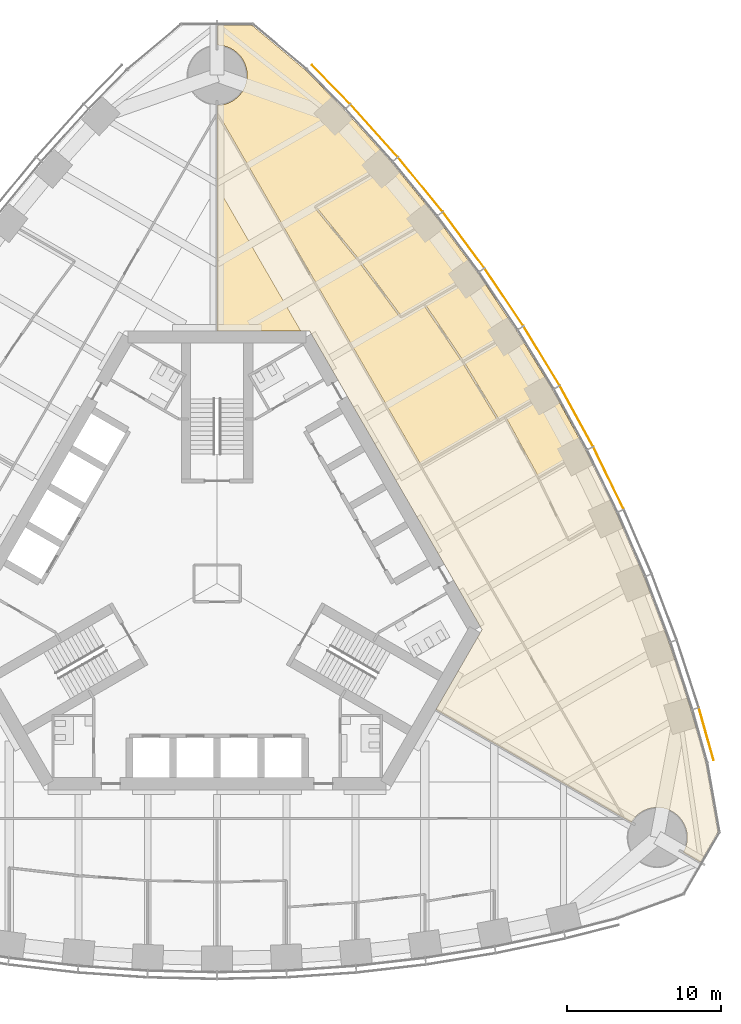
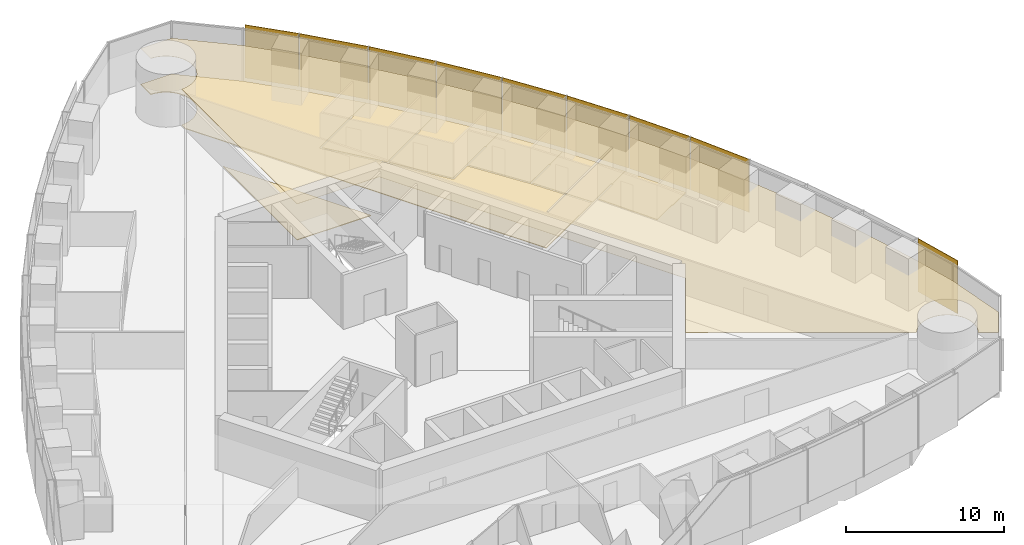
# One storey, part 17 of 19: 9 shading devices, 8 coverings.
"""IFC4 building model written with IfcOpenShell, lengths in metres."""

from ifc_helpers import new_model, si_unit, direction, frame, origin, origin_2d, place, context, subcontext, project, spatial, polyline, rectangle, outline, extrude, material, layer, layer_set, type_object, element, save


model = new_model("IFC4")

# Units and contexts
model_context = context("Model", 3, precision=1e-05, world=origin(), true_north=direction((0.0, 1.0)))
body_context = subcontext(model_context, "Body", "Model", "MODEL_VIEW")
ifc_project = project(units=[si_unit("LENGTHUNIT", "METRE"), si_unit("AREAUNIT", "SQUARE_METRE"), si_unit("VOLUMEUNIT", "CUBIC_METRE"), si_unit("PLANEANGLEUNIT", "RADIAN"), si_unit("MASSUNIT", "GRAM", prefix="KILO")], contexts=[model_context])

# Site, building, storey
site_placement = place(None, origin())
site = spatial("IfcSite", under=ifc_project, at=site_placement, CompositionType="ELEMENT")
building_placement = place(site_placement, origin())
building = spatial("IfcBuilding", under=site, at=building_placement, Name="Trefoil Bronze Tower", CompositionType="ELEMENT")
storey_placement = place(building_placement, frame((0.0, 0.0, 193.89990234375)))
storey = spatial("IfcBuildingStorey", under=building, at=storey_placement, Name="L44", CompositionType="ELEMENT", Elevation=193.89990234375)

# Shading devices
ifc_material_1 = material(Name="Perforated bronze sheet", Category="bronze")
ifc_layer_1 = layer(ifc_material_1, 0.0400390625)
ifc_layer_set_1 = layer_set([ifc_layer_1], Name="Bronze solar screen panel")
shading_device_type = type_object("IfcShadingDeviceType", Name="Bronze solar screen panel", PredefinedType="SHUTTER", material=ifc_layer_set_1)
shading_device_1_placement = place(storey_placement, frame((31.764892578125, -9.7890625, 0.050048828125), z_axis=(0.0, 0.0, 1.0), x_axis=(-0.270282222968, 0.962781138134, 0.0)))
element("IfcShadingDevice", 1, at=shading_device_1_placement, inside=storey, type_object=shading_device_type, Name="Solar screen CW-A L44 F2 bay 1", PredefinedType="SHUTTER", context=body_context, shape_type="SweptSolid", body=[
    extrude(rectangle(XDim=3.53369140625, YDim=0.0400390625, at=origin_2d()), origin(), (0.0, 0.0, 1.0), 4.10009765625),
])
shading_device_2_placement = place(storey_placement, frame((25.4169921875, 6.83740234375, 0.050048828125), z_axis=(0.0, 0.0, 1.0), x_axis=(-0.439129033334, 0.898424004623, 0.0)))
element("IfcShadingDevice", 2, at=shading_device_2_placement, inside=storey, type_object=shading_device_type, Name="Solar screen CW-A L44 F2 bay 5", PredefinedType="SHUTTER", context=body_context, shape_type="SweptSolid", body=[
    extrude(rectangle(XDim=4.480712890625, YDim=0.0400390625, at=origin_2d()), origin(), (0.0, 0.0, 1.0), 4.10009765625),
])
for number, where, z_axis, x_axis, name in (
    (3, (23.3349609375, 10.860107421875, 0.050048828125), (0.0, 0.0, 1.0), (-0.479974003504, 0.877282711536, 0.0), "Solar screen CW-A L44 F2 bay 6"),
    (4, (21.07275390625, 14.77880859375, 0.050048828125), (0.0, 0.0, 1.0), (-0.519762112739, 0.854311035959, 0.0), "Solar screen CW-A L44 F2 bay 7"),
):
    element("IfcShadingDevice", number, at=place(storey_placement, frame(where, z_axis=z_axis, x_axis=x_axis)), inside=storey, type_object=shading_device_type, Name=name, PredefinedType="SHUTTER", context=body_context, shape_type="SweptSolid", body=[
        extrude(rectangle(XDim=4.47119140625, YDim=0.0400390625, at=origin_2d()), origin(), (0.0, 0.0, 1.0), 4.10009765625),
    ])
shading_device_3_placement = place(storey_placement, frame((18.6298828125, 18.59326171875, 0.050048828125), z_axis=(0.0, 0.0, 1.0), x_axis=(-0.558493494706, 0.829508900718, 0.0)))
element("IfcShadingDevice", 5, at=shading_device_3_placement, inside=storey, type_object=shading_device_type, Name="Solar screen CW-A L44 F2 bay 8", PredefinedType="SHUTTER", context=body_context, shape_type="SweptSolid", body=[
    extrude(rectangle(XDim=4.480712890625, YDim=0.0400390625, at=origin_2d()), origin(), (0.0, 0.0, 1.0), 4.10009765625),
])
shading_device_4_placement = place(storey_placement, frame((16.005615234375, 22.302734375, 0.050048828125), z_axis=(0.0, 0.0, 1.0), x_axis=(-0.596161525977, 0.802864518425, 0.0)))
element("IfcShadingDevice", 6, at=shading_device_4_placement, inside=storey, type_object=shading_device_type, Name="Solar screen CW-A L44 F2 bay 9", PredefinedType="SHUTTER", context=body_context, shape_type="SweptSolid", body=[
    extrude(rectangle(XDim=4.5, YDim=0.0400390625, at=origin_2d()), origin(), (0.0, 0.0, 1.0), 4.10009765625),
])
shading_device_5_placement = place(storey_placement, frame((13.197509765625, 25.90625, 0.050048828125), z_axis=(0.0, 0.0, 1.0), x_axis=(-0.63275261301, 0.774354008661, 0.0)))
element("IfcShadingDevice", 7, at=shading_device_5_placement, inside=storey, type_object=shading_device_type, Name="Solar screen CW-A L44 F2 bay 10", PredefinedType="SHUTTER", context=body_context, shape_type="SweptSolid", body=[
    extrude(rectangle(XDim=4.529296875, YDim=0.0400390625, at=origin_2d()), origin(), (0.0, 0.0, 1.0), 4.10009765625),
])
shading_device_6_placement = place(storey_placement, frame((10.20166015625, 29.401611328125, 0.050048828125), z_axis=(0.0, 0.0, 1.0), x_axis=(-0.668245744076, 0.743940606181, 0.0)))
element("IfcShadingDevice", 8, at=shading_device_6_placement, inside=storey, type_object=shading_device_type, Name="Solar screen CW-A L44 F2 bay 11", PredefinedType="SHUTTER", context=body_context, shape_type="SweptSolid", body=[
    extrude(rectangle(XDim=4.5693359375, YDim=0.0400390625, at=origin_2d()), origin(), (0.0, 0.0, 1.0), 4.10009765625),
])
shading_device_7_placement = place(storey_placement, frame((7.40478515625, 32.40380859375, 0.050048828125), z_axis=(0.0, 0.0, 1.0), x_axis=(-0.698651812425, 0.715461840349, 0.0)))
element("IfcShadingDevice", 9, at=shading_device_7_placement, inside=storey, type_object=shading_device_type, Name="Solar screen CW-A L44 F2 bay 12", PredefinedType="SHUTTER", context=body_context, shape_type="SweptSolid", body=[
    extrude(rectangle(XDim=3.53369140625, YDim=0.0400390625, at=origin_2d()), origin(), (0.0, 0.0, 1.0), 4.10009765625),
])

# Coverings
ifc_material_2 = material(Name="Acoustic ceiling panels", Category="mineral fibre")
ifc_layer_2 = layer(ifc_material_2, 0.02001953125)
ifc_layer_set_2 = layer_set([ifc_layer_2], Name="Office ceiling 20")
covering_type_1 = type_object("IfcCoveringType", Name="Office ceiling 20", PredefinedType="CEILING", material=ifc_layer_set_2)
covering_1_placement = place(storey_placement, frame((0.0, 0.0, 2.900146484375)))
element("IfcCovering", 10, at=covering_1_placement, inside=storey, type_object=covering_type_1, Name="Ceiling L44 Open-plan office F2", PredefinedType="CEILING", context=body_context, shape_type="SweptSolid", body=[
    extrude(outline(polyline([(8.26318359375, 30.751708984375), (11.3369140625, 27.329833984375), (14.2216796875, 23.79931640625), (16.92236328125, 20.162353515625), (19.44140625, 16.420654296875), (21.781005859375, 12.5751953125), (23.94140625, 8.62646484375), (25.92236328125, 4.573974609375), (27.7216796875, 0.416748046875), (29.3369140625, -3.846923828125), (30.76318359375, -8.219482421875), (31.7265625, -11.650634765625), (32.518310546875, -16.1416015625), (31.385009765625, -18.1044921875), (30.273681640625, -17.46337890625), (30.298583984375, -17.419189453125), (30.341552734375, -17.333740234375), (30.38037109375, -17.24609375), (30.414794921875, -17.156982421875), (30.44482421875, -17.066162109375), (30.470458984375, -16.973876953125), (30.491455078125, -16.88037109375), (30.5078125, -16.7861328125), (30.519287109375, -16.691162109375), (30.526611328125, -16.595703125), (30.52880859375, -16.5), (30.526611328125, -16.404296875), (30.519287109375, -16.308837890625), (30.5078125, -16.2138671875), (30.491455078125, -16.11962890625), (30.470458984375, -16.026123046875), (30.44482421875, -15.933837890625), (30.414794921875, -15.843017578125), (30.38037109375, -15.75390625), (30.341552734375, -15.666259765625), (30.298583984375, -15.580810546875), (30.25146484375, -15.49755859375), (30.2001953125, -15.41650390625), (30.14501953125, -15.33837890625), (30.086181640625, -15.262939453125), (30.023681640625, -15.1904296875), (29.957763671875, -15.12109375), (29.888427734375, -15.05517578125), (29.81591796875, -14.99267578125), (29.740478515625, -14.93359375), (29.662109375, -14.878662109375), (29.581298828125, -14.827392578125), (29.498046875, -14.7802734375), (29.41259765625, -14.7373046875), (29.3251953125, -14.698486328125), (29.23583984375, -14.6640625), (29.14501953125, -14.634033203125), (29.052490234375, -14.6083984375), (28.959228515625, -14.58740234375), (28.864990234375, -14.571044921875), (28.77001953125, -14.559326171875), (28.674560546875, -14.55224609375), (28.578857421875, -14.550048828125), (28.483154296875, -14.55224609375), (28.3876953125, -14.559326171875), (28.292724609375, -14.571044921875), (28.198486328125, -14.58740234375), (28.10498046875, -14.6083984375), (28.0126953125, -14.634033203125), (27.921875, -14.6640625), (27.83251953125, -14.698486328125), (27.7451171875, -14.7373046875), (27.65966796875, -14.7802734375), (27.576416015625, -14.827392578125), (27.49560546875, -14.878662109375), (27.417236328125, -14.93359375), (27.341796875, -14.99267578125), (27.269287109375, -15.05517578125), (27.199951171875, -15.12109375), (27.134033203125, -15.1904296875), (27.071533203125, -15.262939453125), (27.0126953125, -15.33837890625), (26.95751953125, -15.41650390625), (26.896240234375, -15.51513671875), (14.205810546875, -8.194580078125), (17.205078125, -3.0), (6.00439453125, 16.39990234375), (0.006103515625, 16.39990234375), (0.01171875, 31.05029296875), (0.095703125, 31.05224609375), (0.191162109375, 31.059326171875), (0.2861328125, 31.071044921875), (0.38037109375, 31.08740234375), (0.473876953125, 31.1083984375), (0.566162109375, 31.134033203125), (0.656982421875, 31.1640625), (0.74609375, 31.198486328125), (0.833740234375, 31.2373046875), (0.919189453125, 31.2802734375), (1.00244140625, 31.327392578125), (1.08349609375, 31.378662109375), (1.16162109375, 31.43359375), (1.237060546875, 31.49267578125), (1.3095703125, 31.55517578125), (1.37890625, 31.62109375), (1.44482421875, 31.6904296875), (1.50732421875, 31.762939453125), (1.56640625, 31.83837890625), (1.621337890625, 31.91650390625), (1.672607421875, 31.99755859375), (1.7197265625, 32.080810546875), (1.7626953125, 32.166259765625), (1.801513671875, 32.25390625), (1.8359375, 32.343017578125), (1.865966796875, 32.433837890625), (1.8916015625, 32.526123046875), (1.91259765625, 32.61962890625), (1.928955078125, 32.7138671875), (1.940673828125, 32.808837890625), (1.94775390625, 32.904296875), (1.949951171875, 33.0), (1.94775390625, 33.095703125), (1.940673828125, 33.191162109375), (1.928955078125, 33.2861328125), (1.91259765625, 33.38037109375), (1.8916015625, 33.473876953125), (1.865966796875, 33.566162109375), (1.8359375, 33.656982421875), (1.801513671875, 33.74609375), (1.7626953125, 33.833740234375), (1.7197265625, 33.919189453125), (1.672607421875, 34.00244140625), (1.621337890625, 34.08349609375), (1.56640625, 34.16162109375), (1.50732421875, 34.237060546875), (1.44482421875, 34.3095703125), (1.37890625, 34.37890625), (1.3095703125, 34.44482421875), (1.237060546875, 34.50732421875), (1.16162109375, 34.56640625), (1.08349609375, 34.621337890625), (1.00244140625, 34.672607421875), (0.919189453125, 34.7197265625), (0.833740234375, 34.7626953125), (0.74609375, 34.801513671875), (0.656982421875, 34.8359375), (0.566162109375, 34.865966796875), (0.473876953125, 34.8916015625), (0.38037109375, 34.91259765625), (0.2861328125, 34.928955078125), (0.191162109375, 34.940673828125), (0.095703125, 34.94775390625), (0.01318359375, 34.94970703125), (0.013671875, 36.232666015625), (2.280029296875, 36.232666015625), (5.7734375, 33.30126953125), (8.26318359375, 30.751708984375)])), origin(), (0.0, 0.0, 1.0), 0.02001953125),
])
ifc_material_3 = material(Name="Raised access floor panels", Category="steel")
ifc_layer_3 = layer(ifc_material_3, 0.050048828125)
ifc_layer_set_3 = layer_set([ifc_layer_3], Name="Raised access floor 150")
covering_type_2 = type_object("IfcCoveringType", Name="Raised access floor 150", PredefinedType="FLOORING", material=ifc_layer_set_3)
covering_2_placement = place(storey_placement, frame((0.0, 0.0, 0.10009765625)))
element("IfcCovering", 11, at=covering_2_placement, inside=storey, type_object=covering_type_2, Name="Raised floor L44 Meeting room F2", PredefinedType="FLOORING", context=body_context, shape_type="SweptSolid", body=[
    extrude(outline(polyline([(14.2216796875, 23.79931640625), (12.796630859375, 22.9765625), (12.7666015625, 23.028564453125), (9.25634765625, 21.001708984375), (6.4482421875, 24.438232421875), (9.930908203125, 26.448974609375), (9.90087890625, 26.5009765625), (11.3369140625, 27.329833984375), (14.2216796875, 23.79931640625)])), origin(), (0.0, 0.0, 1.0), 0.050048828125),
])
covering_3_placement = place(storey_placement, frame((0.0, 0.0, 0.10009765625)))
element("IfcCovering", 12, at=covering_3_placement, inside=storey, type_object=covering_type_2, Name="Raised floor L44 Meeting room F2", PredefinedType="FLOORING", context=body_context, shape_type="SweptSolid", body=[
    extrude(outline(polyline([(16.92236328125, 20.162353515625), (15.504638671875, 19.343994140625), (15.474609375, 19.39599609375), (11.958984375, 17.3662109375), (9.330322265625, 20.906005859375), (12.82666015625, 22.924560546875), (12.796630859375, 22.9765625), (14.2216796875, 23.79931640625), (16.92236328125, 20.162353515625)])), origin(), (0.0, 0.0, 1.0), 0.050048828125),
])
covering_4_placement = place(storey_placement, frame((0.0, 0.0, 0.10009765625)))
element("IfcCovering", 13, at=covering_4_placement, inside=storey, type_object=covering_type_2, Name="Raised floor L44 Focus room F2", PredefinedType="FLOORING", context=body_context, shape_type="SweptSolid", body=[
    extrude(outline(polyline([(19.44140625, 16.420654296875), (18.0283203125, 15.60498046875), (17.998291015625, 15.65673828125), (15.974365234375, 14.48828125), (13.522216796875, 18.130126953125), (15.53466796875, 19.2919921875), (15.504638671875, 19.343994140625), (16.92236328125, 20.162353515625), (19.44140625, 16.420654296875)])), origin(), (0.0, 0.0, 1.0), 0.050048828125),
])
covering_5_placement = place(storey_placement, frame((0.0, 0.0, 0.10009765625)))
element("IfcCovering", 14, at=covering_5_placement, inside=storey, type_object=covering_type_2, Name="Raised floor L44 Focus room F2", PredefinedType="FLOORING", context=body_context, shape_type="SweptSolid", body=[
    extrude(outline(polyline([(19.44140625, 16.420654296875), (21.781005859375, 12.5751953125), (20.369384765625, 11.76025390625), (20.33203125, 11.8251953125), (18.308349609375, 10.656982421875), (16.0390625, 14.386962890625), (18.058349609375, 15.552978515625), (18.0283203125, 15.60498046875), (19.44140625, 16.420654296875)])), origin(), (0.0, 0.0, 1.0), 0.050048828125),
])
covering_6_placement = place(storey_placement, frame((0.0, 0.0, 0.10009765625)))
element("IfcCovering", 15, at=covering_6_placement, inside=storey, type_object=covering_type_2, Name="Raised floor L44 Print and store room F2", PredefinedType="FLOORING", context=body_context, shape_type="SweptSolid", body=[
    extrude(outline(polyline([(21.781005859375, 12.5751953125), (23.94140625, 8.62646484375), (22.5283203125, 7.810546875), (22.498291015625, 7.862548828125), (20.877197265625, 6.9267578125), (18.78173828125, 10.757080078125), (20.406982421875, 11.6953125), (20.369384765625, 11.76025390625), (21.781005859375, 12.5751953125)])), origin(), (0.0, 0.0, 1.0), 0.050048828125),
])
covering_7_placement = place(storey_placement, frame((0.0, 0.0, 0.10009765625)))
element("IfcCovering", 16, at=covering_7_placement, inside=storey, type_object=covering_type_2, Name="Raised floor L44 Open-plan office F2", PredefinedType="FLOORING", context=body_context, shape_type="SweptSolid", body=[
    extrude(outline(polyline([(0.01318359375, 34.94970703125), (0.013671875, 36.232666015625), (2.280029296875, 36.232666015625), (5.7734375, 33.30126953125), (8.26318359375, 30.751708984375), (11.3369140625, 27.329833984375), (9.90087890625, 26.5009765625), (9.870849609375, 26.552734375), (6.3271484375, 24.5068359375), (6.357177734375, 24.454833984375), (6.310791015625, 24.4169921875), (9.194580078125, 20.887451171875), (11.89453125, 17.251708984375), (11.942626953125, 17.287353515625), (11.97265625, 17.235595703125), (13.418212890625, 18.070068359375), (15.9052734375, 14.3759765625), (18.204345703125, 10.596923828125), (13.22998046875, 7.72509765625), (0.068359375, 30.521484375), (0.011474609375, 30.488525390625), (0.01171875, 31.05029296875), (0.095703125, 31.05224609375), (0.191162109375, 31.059326171875), (0.2861328125, 31.071044921875), (0.38037109375, 31.08740234375), (0.473876953125, 31.1083984375), (0.566162109375, 31.134033203125), (0.656982421875, 31.1640625), (0.74609375, 31.198486328125), (0.833740234375, 31.2373046875), (0.919189453125, 31.2802734375), (1.00244140625, 31.327392578125), (1.08349609375, 31.378662109375), (1.16162109375, 31.43359375), (1.237060546875, 31.49267578125), (1.3095703125, 31.55517578125), (1.37890625, 31.62109375), (1.44482421875, 31.6904296875), (1.50732421875, 31.762939453125), (1.56640625, 31.83837890625), (1.621337890625, 31.91650390625), (1.672607421875, 31.99755859375), (1.7197265625, 32.080810546875), (1.7626953125, 32.166259765625), (1.801513671875, 32.25390625), (1.8359375, 32.343017578125), (1.865966796875, 32.433837890625), (1.8916015625, 32.526123046875), (1.91259765625, 32.61962890625), (1.928955078125, 32.7138671875), (1.940673828125, 32.808837890625), (1.94775390625, 32.904296875), (1.949951171875, 33.0), (1.94775390625, 33.095703125), (1.940673828125, 33.191162109375), (1.928955078125, 33.2861328125), (1.91259765625, 33.38037109375), (1.8916015625, 33.473876953125), (1.865966796875, 33.566162109375), (1.8359375, 33.656982421875), (1.801513671875, 33.74609375), (1.7626953125, 33.833740234375), (1.7197265625, 33.919189453125), (1.672607421875, 34.00244140625), (1.621337890625, 34.08349609375), (1.56640625, 34.16162109375), (1.50732421875, 34.237060546875), (1.44482421875, 34.3095703125), (1.37890625, 34.37890625), (1.3095703125, 34.44482421875), (1.237060546875, 34.50732421875), (1.16162109375, 34.56640625), (1.08349609375, 34.621337890625), (1.00244140625, 34.672607421875), (0.919189453125, 34.7197265625), (0.833740234375, 34.7626953125), (0.74609375, 34.801513671875), (0.656982421875, 34.8359375), (0.566162109375, 34.865966796875), (0.473876953125, 34.8916015625), (0.38037109375, 34.91259765625), (0.2861328125, 34.928955078125), (0.191162109375, 34.940673828125), (0.095703125, 34.94775390625), (0.01318359375, 34.94970703125)])), origin(), (0.0, 0.0, 1.0), 0.050048828125),
])
covering_8_placement = place(storey_placement, frame((0.0, 0.0, 0.10009765625)))
element("IfcCovering", 17, at=covering_8_placement, inside=storey, type_object=covering_type_2, Name="Raised floor L44 Open-plan office F2", PredefinedType="FLOORING", context=body_context, shape_type="SweptSolid", body=[
    extrude(outline(polyline([(0.006103515625, 16.39990234375), (0.009765625, 25.783203125), (5.427001953125, 16.39990234375), (0.006103515625, 16.39990234375)])), origin(), (0.0, 0.0, 1.0), 0.050048828125),
])

save(model, "model.ifc")
